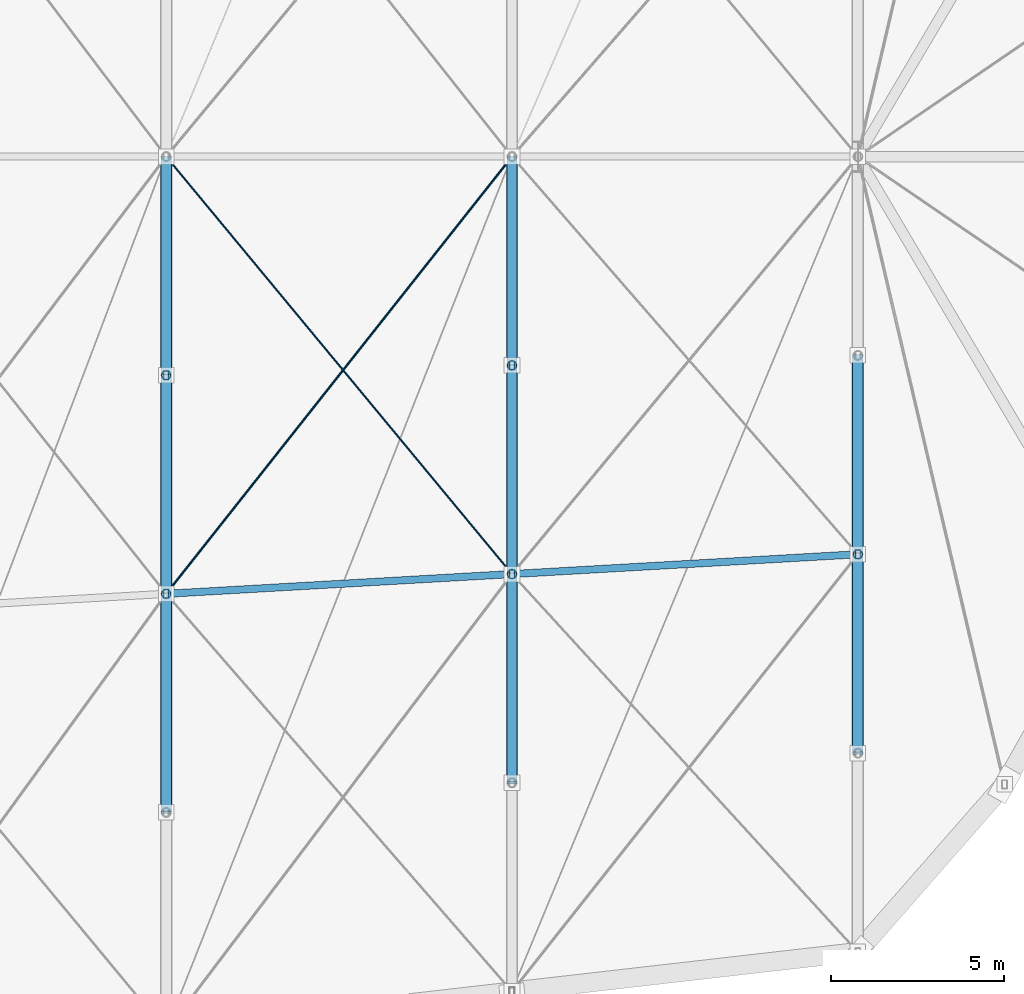
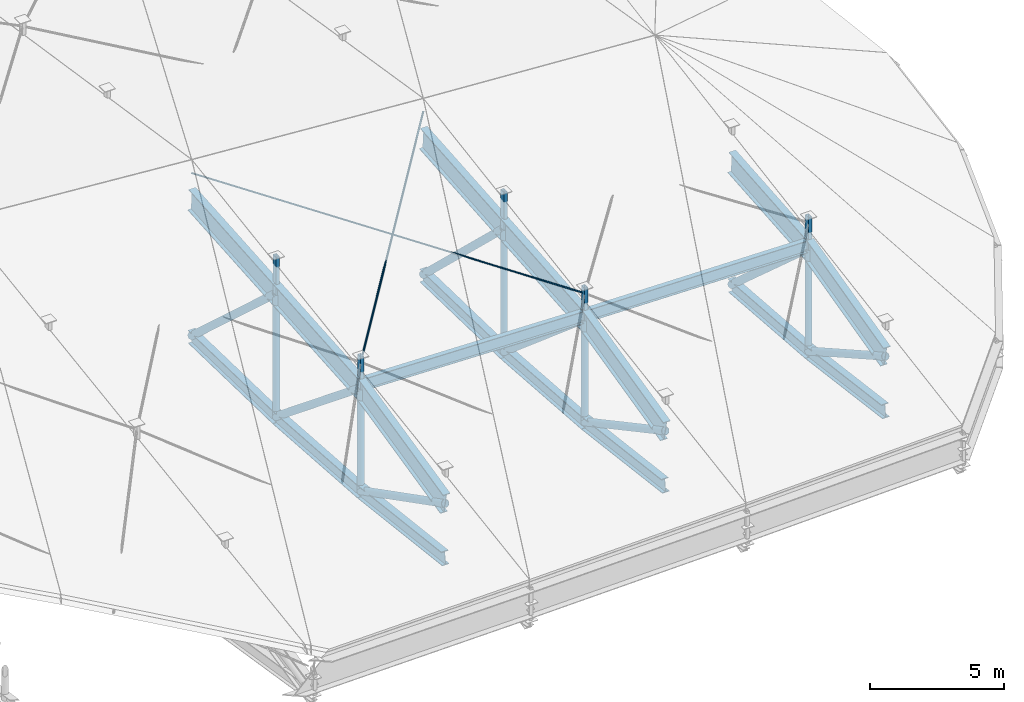
# One storey, part 28 of 68: 20 members, 18 beams.
"""IFC4 building model written with IfcOpenShell, lengths in metres."""

from ifc_helpers import new_model, si_unit, direction, frame, origin, origin_2d, place, context, subcontext, project, spatial, hollow_rectangle, circle, hollow_circle, i_section, extrude, material, material_profile, profile_set, type_object, element, save


model = new_model("IFC4")

# Units and contexts
model_context = context("Model", 3, precision=1e-05, world=origin(), true_north=direction((0.0, 1.0)))
body_context = subcontext(model_context, "Body", "Model", "MODEL_VIEW")
ifc_project = project(units=[si_unit("LENGTHUNIT", "METRE"), si_unit("AREAUNIT", "SQUARE_METRE"), si_unit("VOLUMEUNIT", "CUBIC_METRE"), si_unit("PLANEANGLEUNIT", "RADIAN"), si_unit("MASSUNIT", "GRAM", prefix="KILO")], contexts=[model_context])

# Site, building, storey
site_placement = place(None, origin())
site = spatial("IfcSite", under=ifc_project, at=site_placement, CompositionType="ELEMENT")
building_placement = place(site_placement, origin())
building = spatial("IfcBuilding", under=site, at=building_placement, Name="Sohan Crest Arena", CompositionType="ELEMENT")
storey_placement = place(building_placement, frame((0.0, 0.0, 27.0)))
storey = spatial("IfcBuildingStorey", under=building, at=storey_placement, Name="RF", CompositionType="ELEMENT", Elevation=27.0)

# Beams
ifc_material_1 = material(Name="Steel S355", Category="steel")
ifc_material_profile_1 = material_profile(ifc_material_1, i_section(OverallWidth=0.2099609375, OverallDepth=0.550048828125, WebThickness=0.010986328125, FlangeThickness=0.01708984375, at=origin_2d()), Name="IPE 550")
ifc_profile_set_1 = profile_set([ifc_material_profile_1], Name="Steel S355")
beam_type_1 = type_object("IfcBeamType", Name="STR-BM-B06", PredefinedType="BEAM", material=ifc_profile_set_1)
beam_1_placement = place(storey_placement, frame((148.0, 65.35693359375, 0.240966796875), z_axis=(0.995902297445, 0.056870494964, -0.07031614854), x_axis=(-0.057011612604, 0.998373515288, 0.0)))
element("IfcBeam", 1, at=beam_1_placement, inside=storey, type_object=beam_type_1, Name="Structural beam RP-RF-3159", PredefinedType="BEAM", context=body_context, shape_type="SweptSolid", body=[
    extrude(i_section(OverallWidth=0.2099609375, OverallDepth=0.550048828125, WebThickness=0.010986328125, FlangeThickness=0.01708984375, at=origin_2d()), origin(), (0.0, 0.0, 1.0), 10.041259765625),
])
beam_2_placement = place(storey_placement, frame((158.0, 65.927978515625, -0.465087890625), z_axis=(0.996467598154, 0.057000087463, -0.061671029329), x_axis=(-0.057108792309, 0.998367961145, 0.0)))
element("IfcBeam", 2, at=beam_2_placement, inside=storey, type_object=beam_type_1, Name="Structural beam RP-RF-3162", PredefinedType="BEAM", context=body_context, shape_type="SweptSolid", body=[
    extrude(i_section(OverallWidth=0.2099609375, OverallDepth=0.550048828125, WebThickness=0.010986328125, FlangeThickness=0.01708984375, at=origin_2d()), origin(), (0.0, 0.0, 1.0), 10.035400390625),
])
ifc_material_profile_2 = material_profile(ifc_material_1, i_section(OverallWidth=0.300048828125, OverallDepth=0.60009765625, WebThickness=0.015380859375, FlangeThickness=0.030029296875, at=origin_2d()), Name="HEB 600")
ifc_profile_set_2 = profile_set([ifc_material_profile_2], Name="Steel S355")
beam_type_2 = type_object("IfcBeamType", Name="STR-BM-B15", PredefinedType="BEAM", material=ifc_profile_set_2)
beam_3_placement = place(storey_placement, frame((148.0, 59.034912109375, -3.85693359375), z_axis=(0.0, 0.993036528828, -0.117806843659), x_axis=(-1.0, 0.0, 0.0)))
element("IfcBeam", 3, at=beam_3_placement, inside=storey, type_object=beam_type_2, Name="Structural beam RAB-RF-3099", PredefinedType="BEAM", context=body_context, shape_type="SweptSolid", body=[
    extrude(i_section(OverallWidth=0.300048828125, OverallDepth=0.60009765625, WebThickness=0.015380859375, FlangeThickness=0.030029296875, at=origin_2d()), origin(), (0.0, 0.0, 1.0), 6.366455078125),
])
beam_4_placement = place(storey_placement, frame((148.0, 65.35693359375, -4.60693359375), z_axis=(0.0, 0.997476075204, -0.071003375945), x_axis=(-1.0, 0.0, 0.0)))
element("IfcBeam", 4, at=beam_4_placement, inside=storey, type_object=beam_type_2, Name="Structural beam RAB-RF-3101", PredefinedType="BEAM", context=body_context, shape_type="SweptSolid", body=[
    extrude(i_section(OverallWidth=0.300048828125, OverallDepth=0.60009765625, WebThickness=0.015380859375, FlangeThickness=0.030029296875, at=origin_2d()), origin(), (0.0, 0.0, 1.0), 6.337158203125),
])
beam_5_placement = place(storey_placement, frame((148.0, 71.677978515625, -5.056884765625), z_axis=(0.0, 0.999718093734, -0.023743063435), x_axis=(-1.0, 0.0, 0.0)))
element("IfcBeam", 5, at=beam_5_placement, inside=storey, type_object=beam_type_2, Name="Structural beam RAB-RF-3103", PredefinedType="BEAM", context=body_context, shape_type="SweptSolid", body=[
    extrude(i_section(OverallWidth=0.300048828125, OverallDepth=0.60009765625, WebThickness=0.015380859375, FlangeThickness=0.030029296875, at=origin_2d()), origin(), (0.0, 0.0, 1.0), 6.32373046875),
])
beam_6_placement = place(storey_placement, frame((158.0, 59.89306640625, -4.56201171875), z_axis=(0.0, 0.992365946083, -0.1233281357), x_axis=(-1.0, 0.0, 0.0)))
element("IfcBeam", 6, at=beam_6_placement, inside=storey, type_object=beam_type_2, Name="Structural beam RAB-RF-3115", PredefinedType="BEAM", context=body_context, shape_type="SweptSolid", body=[
    extrude(i_section(OverallWidth=0.300048828125, OverallDepth=0.60009765625, WebThickness=0.015380859375, FlangeThickness=0.030029296875, at=origin_2d()), origin(), (0.0, 0.0, 1.0), 6.081298828125),
])
beam_7_placement = place(storey_placement, frame((158.0, 65.927978515625, -5.31201171875), z_axis=(0.0, 0.997233199276, -0.074336708715), x_axis=(-1.0, 0.0, 0.0)))
element("IfcBeam", 7, at=beam_7_placement, inside=storey, type_object=beam_type_2, Name="Structural beam RAB-RF-3117", PredefinedType="BEAM", context=body_context, shape_type="SweptSolid", body=[
    extrude(i_section(OverallWidth=0.300048828125, OverallDepth=0.60009765625, WebThickness=0.015380859375, FlangeThickness=0.030029296875, at=origin_2d()), origin(), (0.0, 0.0, 1.0), 6.052978515625),
])
beam_8_placement = place(storey_placement, frame((158.0, 71.964111328125, -5.761962890625), z_axis=(0.0, 0.999690745235, -0.024867928986), x_axis=(-1.0, 0.0, 0.0)))
element("IfcBeam", 8, at=beam_8_placement, inside=storey, type_object=beam_type_2, Name="Structural beam RAB-RF-3119", PredefinedType="BEAM", context=body_context, shape_type="SweptSolid", body=[
    extrude(i_section(OverallWidth=0.300048828125, OverallDepth=0.60009765625, WebThickness=0.015380859375, FlangeThickness=0.030029296875, at=origin_2d()), origin(), (0.0, 0.0, 1.0), 6.037841796875),
])
beam_9_placement = place(storey_placement, frame((168.0, 60.75, -5.180908203125), z_axis=(0.0, 0.991600411186, -0.129339184068), x_axis=(-1.0, 0.0, 0.0)))
element("IfcBeam", 9, at=beam_9_placement, inside=storey, type_object=beam_type_2, Name="Structural beam RAB-RF-3131", PredefinedType="BEAM", context=body_context, shape_type="SweptSolid", body=[
    extrude(i_section(OverallWidth=0.300048828125, OverallDepth=0.60009765625, WebThickness=0.015380859375, FlangeThickness=0.030029296875, at=origin_2d()), origin(), (0.0, 0.0, 1.0), 5.798828125),
])
beam_10_placement = place(storey_placement, frame((168.0, 66.5, -5.930908203125), z_axis=(0.0, 0.996948979363, -0.078055957793), x_axis=(-1.0, 0.0, 0.0)))
element("IfcBeam", 10, at=beam_10_placement, inside=storey, type_object=beam_type_2, Name="Structural beam RAB-RF-3133", PredefinedType="BEAM", context=body_context, shape_type="SweptSolid", body=[
    extrude(i_section(OverallWidth=0.300048828125, OverallDepth=0.60009765625, WebThickness=0.015380859375, FlangeThickness=0.030029296875, at=origin_2d()), origin(), (0.0, 0.0, 1.0), 5.767578125),
])
ifc_material_profile_3 = material_profile(ifc_material_1, i_section(OverallWidth=0.300048828125, OverallDepth=1.0, WebThickness=0.01904296875, FlangeThickness=0.035888671875, at=origin_2d()), Name="HEB 1000")
ifc_profile_set_3 = profile_set([ifc_material_profile_3], Name="Steel S355")
beam_type_3 = type_object("IfcBeamType", Name="STR-BM-B19", PredefinedType="BEAM", material=ifc_profile_set_3)
beam_11_placement = place(storey_placement, frame((148.0, 59.034912109375, -1.363037109375), z_axis=(0.0, 0.974890040353, 0.222686796242), x_axis=(-1.0, 0.0, 0.0)))
element("IfcBeam", 11, at=beam_11_placement, inside=storey, type_object=beam_type_3, Name="Structural beam RA-RF-3098", PredefinedType="BEAM", context=body_context, shape_type="SweptSolid", body=[
    extrude(i_section(OverallWidth=0.300048828125, OverallDepth=1.0, WebThickness=0.01904296875, FlangeThickness=0.035888671875, at=origin_2d()), origin(), (0.0, 0.0, 1.0), 6.48486328125),
])
beam_12_placement = place(storey_placement, frame((148.0, 65.35693359375, 0.0810546875), z_axis=(0.0, 0.997117800365, 0.075868914554), x_axis=(-1.0, 0.0, 0.0)))
element("IfcBeam", 12, at=beam_12_placement, inside=storey, type_object=beam_type_3, Name="Structural beam RA-RF-3100", PredefinedType="BEAM", context=body_context, shape_type="SweptSolid", body=[
    extrude(i_section(OverallWidth=0.300048828125, OverallDepth=1.0, WebThickness=0.01904296875, FlangeThickness=0.035888671875, at=origin_2d()), origin(), (0.0, 0.0, 1.0), 6.33935546875),
])
beam_13_placement = place(storey_placement, frame((148.0, 71.677978515625, 0.56201171875), z_axis=(0.0, 0.997118686878, 0.075857262528), x_axis=(-1.0, 0.0, 0.0)))
element("IfcBeam", 13, at=beam_13_placement, inside=storey, type_object=beam_type_3, Name="Structural beam RA-RF-3102", PredefinedType="BEAM", context=body_context, shape_type="SweptSolid", body=[
    extrude(i_section(OverallWidth=0.300048828125, OverallDepth=1.0, WebThickness=0.01904296875, FlangeThickness=0.035888671875, at=origin_2d()), origin(), (0.0, 0.0, 1.0), 6.34033203125),
])
beam_14_placement = place(storey_placement, frame((158.0, 59.89208984375, -2.069091796875), z_axis=(0.0, 0.972552384533, 0.232684033269), x_axis=(-1.0, 0.0, 0.0)))
element("IfcBeam", 14, at=beam_14_placement, inside=storey, type_object=beam_type_3, Name="Structural beam RA-RF-3114", PredefinedType="BEAM", context=body_context, shape_type="SweptSolid", body=[
    extrude(i_section(OverallWidth=0.300048828125, OverallDepth=1.0, WebThickness=0.01904296875, FlangeThickness=0.035888671875, at=origin_2d()), origin(), (0.0, 0.0, 1.0), 6.206298828125),
])
beam_15_placement = place(storey_placement, frame((158.0, 65.927978515625, -0.625), z_axis=(0.0, 0.996827829556, 0.079588178917), x_axis=(-1.0, 0.0, 0.0)))
element("IfcBeam", 15, at=beam_15_placement, inside=storey, type_object=beam_type_3, Name="Structural beam RA-RF-3116", PredefinedType="BEAM", context=body_context, shape_type="SweptSolid", body=[
    extrude(i_section(OverallWidth=0.300048828125, OverallDepth=1.0, WebThickness=0.01904296875, FlangeThickness=0.035888671875, at=origin_2d()), origin(), (0.0, 0.0, 1.0), 6.055419921875),
])
beam_16_placement = place(storey_placement, frame((158.0, 71.964111328125, -0.14306640625), z_axis=(0.0, 0.996840357161, 0.07943111692), x_axis=(-1.0, 0.0, 0.0)))
element("IfcBeam", 16, at=beam_16_placement, inside=storey, type_object=beam_type_3, Name="Structural beam RA-RF-3118", PredefinedType="BEAM", context=body_context, shape_type="SweptSolid", body=[
    extrude(i_section(OverallWidth=0.300048828125, OverallDepth=1.0, WebThickness=0.01904296875, FlangeThickness=0.035888671875, at=origin_2d()), origin(), (0.0, 0.0, 1.0), 6.054931640625),
])
beam_17_placement = place(storey_placement, frame((168.0, 60.75, -2.68798828125), z_axis=(0.0, 0.969880319214, 0.243581950074), x_axis=(-1.0, 0.0, 0.0)))
element("IfcBeam", 17, at=beam_17_placement, inside=storey, type_object=beam_type_3, Name="Structural beam RA-RF-3130", PredefinedType="BEAM", context=body_context, shape_type="SweptSolid", body=[
    extrude(i_section(OverallWidth=0.300048828125, OverallDepth=1.0, WebThickness=0.01904296875, FlangeThickness=0.035888671875, at=origin_2d()), origin(), (0.0, 0.0, 1.0), 5.928466796875),
])
beam_18_placement = place(storey_placement, frame((168.0, 66.5, -1.243896484375), z_axis=(0.0, 0.996505959769, 0.083521686676), x_axis=(-1.0, 0.0, 0.0)))
element("IfcBeam", 18, at=beam_18_placement, inside=storey, type_object=beam_type_3, Name="Structural beam RA-RF-3132", PredefinedType="BEAM", context=body_context, shape_type="SweptSolid", body=[
    extrude(i_section(OverallWidth=0.300048828125, OverallDepth=1.0, WebThickness=0.01904296875, FlangeThickness=0.035888671875, at=origin_2d()), origin(), (0.0, 0.0, 1.0), 5.770263671875),
])

# Members
ifc_material_profile_4 = material_profile(ifc_material_1, hollow_circle(Radius=0.136474609375, WallThickness=0.012451171875, at=origin_2d()), Name="CHS 273x12.5")
ifc_profile_set_4 = profile_set([ifc_material_profile_4], Name="Steel S355")
member_type_1 = type_object("IfcMemberType", Name="STR-MEM-BR02", PredefinedType="BRACE", material=ifc_profile_set_4)
member_1_placement = place(storey_placement, frame((148.0, 65.35693359375, -4.60693359375), z_axis=(0.0, 0.0, 1.0), x_axis=(1.0, 0.0, 0.0)))
element("IfcMember", 19, at=member_1_placement, inside=storey, type_object=member_type_1, Name="Lenticular roof truss web strut TW-193", PredefinedType="BRACE", context=body_context, shape_type="SweptSolid", body=[
    extrude(hollow_circle(Radius=0.136474609375, WallThickness=0.012451171875, at=origin_2d()), origin(), (0.0, 0.0, 1.0), 4.68798828125),
])
member_2_placement = place(storey_placement, frame((148.0, 71.677978515625, -5.056884765625), z_axis=(0.0, 0.0, 1.0), x_axis=(1.0, 0.0, 0.0)))
element("IfcMember", 20, at=member_2_placement, inside=storey, type_object=member_type_1, Name="Lenticular roof truss web strut TW-195", PredefinedType="BRACE", context=body_context, shape_type="SweptSolid", body=[
    extrude(hollow_circle(Radius=0.136474609375, WallThickness=0.012451171875, at=origin_2d()), origin(), (0.0, 0.0, 1.0), 5.618896484375),
])
member_3_placement = place(storey_placement, frame((158.0, 65.927978515625, -5.31201171875), z_axis=(0.0, 0.0, 1.0), x_axis=(1.0, 0.0, 0.0)))
element("IfcMember", 21, at=member_3_placement, inside=storey, type_object=member_type_1, Name="Lenticular roof truss web strut TW-217", PredefinedType="BRACE", context=body_context, shape_type="SweptSolid", body=[
    extrude(hollow_circle(Radius=0.136474609375, WallThickness=0.012451171875, at=origin_2d()), origin(), (0.0, 0.0, 1.0), 4.68701171875),
])
member_4_placement = place(storey_placement, frame((158.0, 71.964111328125, -5.761962890625), z_axis=(0.0, 0.0, 1.0), x_axis=(1.0, 0.0, 0.0)))
element("IfcMember", 22, at=member_4_placement, inside=storey, type_object=member_type_1, Name="Lenticular roof truss web strut TW-219", PredefinedType="BRACE", context=body_context, shape_type="SweptSolid", body=[
    extrude(hollow_circle(Radius=0.136474609375, WallThickness=0.012451171875, at=origin_2d()), origin(), (0.0, 0.0, 1.0), 5.618896484375),
])
member_5_placement = place(storey_placement, frame((168.0, 66.5, -5.930908203125), z_axis=(0.0, 0.0, 1.0), x_axis=(1.0, 0.0, 0.0)))
element("IfcMember", 23, at=member_5_placement, inside=storey, type_object=member_type_1, Name="Lenticular roof truss web strut TW-241", PredefinedType="BRACE", context=body_context, shape_type="SweptSolid", body=[
    extrude(hollow_circle(Radius=0.136474609375, WallThickness=0.012451171875, at=origin_2d()), origin(), (0.0, 0.0, 1.0), 4.68701171875),
])
ifc_material_profile_5 = material_profile(ifc_material_1, hollow_circle(Radius=0.161865234375, WallThickness=0.012451171875, at=origin_2d()), Name="CHS 323.9x12.5")
ifc_profile_set_5 = profile_set([ifc_material_profile_5], Name="Steel S355")
member_type_2 = type_object("IfcMemberType", Name="STR-MEM-BR03", PredefinedType="BRACE", material=ifc_profile_set_5)
member_6_placement = place(storey_placement, frame((148.0, 65.35693359375, -4.60693359375), z_axis=(0.0, -0.88971262901, 0.456521015704), x_axis=(1.0, 0.0, 0.0)))
element("IfcMember", 24, at=member_6_placement, inside=storey, type_object=member_type_2, Name="Lenticular roof truss web diagonal TD-192", PredefinedType="BRACE", context=body_context, shape_type="SweptSolid", body=[
    extrude(hollow_circle(Radius=0.161865234375, WallThickness=0.012451171875, at=origin_2d()), origin(), (0.0, 0.0, 1.0), 7.105712890625),
])
member_7_placement = place(storey_placement, frame((148.0, 71.677978515625, -5.056884765625), z_axis=(0.0, -0.775988387109, 0.630747194264), x_axis=(1.0, 0.0, 0.0)))
element("IfcMember", 25, at=member_7_placement, inside=storey, type_object=member_type_2, Name="Lenticular roof truss web diagonal TD-194", PredefinedType="BRACE", context=body_context, shape_type="SweptSolid", body=[
    extrude(hollow_circle(Radius=0.161865234375, WallThickness=0.012451171875, at=origin_2d()), origin(), (0.0, 0.0, 1.0), 8.145751953125),
])
member_8_placement = place(storey_placement, frame((148.0, 78.0, -5.20703125), z_axis=(0.0, -0.738673823167, 0.674063040797), x_axis=(1.0, 0.0, 0.0)))
element("IfcMember", 26, at=member_8_placement, inside=storey, type_object=member_type_2, Name="Lenticular roof truss web diagonal TD-196", PredefinedType="BRACE", context=body_context, shape_type="SweptSolid", body=[
    extrude(hollow_circle(Radius=0.161865234375, WallThickness=0.012451171875, at=origin_2d()), origin(), (0.0, 0.0, 1.0), 8.55859375),
])
member_9_placement = place(storey_placement, frame((158.0, 65.927978515625, -5.31201171875), z_axis=(0.0, -0.88090777888, 0.473287951578), x_axis=(1.0, 0.0, 0.0)))
element("IfcMember", 27, at=member_9_placement, inside=storey, type_object=member_type_2, Name="Lenticular roof truss web diagonal TD-216", PredefinedType="BRACE", context=body_context, shape_type="SweptSolid", body=[
    extrude(hollow_circle(Radius=0.161865234375, WallThickness=0.012451171875, at=origin_2d()), origin(), (0.0, 0.0, 1.0), 6.851806640625),
])
member_10_placement = place(storey_placement, frame((158.0, 71.964111328125, -5.761962890625), z_axis=(0.0, -0.761550063973, 0.648106087043), x_axis=(1.0, 0.0, 0.0)))
element("IfcMember", 28, at=member_10_placement, inside=storey, type_object=member_type_2, Name="Lenticular roof truss web diagonal TD-218", PredefinedType="BRACE", context=body_context, shape_type="SweptSolid", body=[
    extrude(hollow_circle(Radius=0.161865234375, WallThickness=0.012451171875, at=origin_2d()), origin(), (0.0, 0.0, 1.0), 7.926025390625),
])
member_11_placement = place(storey_placement, frame((158.0, 78.0, -5.912109375), z_axis=(0.0, -0.722905976633, 0.690946415396), x_axis=(1.0, 0.0, 0.0)))
element("IfcMember", 29, at=member_11_placement, inside=storey, type_object=member_type_2, Name="Lenticular roof truss web diagonal TD-220", PredefinedType="BRACE", context=body_context, shape_type="SweptSolid", body=[
    extrude(hollow_circle(Radius=0.161865234375, WallThickness=0.012451171875, at=origin_2d()), origin(), (0.0, 0.0, 1.0), 8.349365234375),
])
member_12_placement = place(storey_placement, frame((168.0, 66.5, -5.930908203125), z_axis=(0.0, -0.871021884695, 0.491244212568), x_axis=(1.0, 0.0, 0.0)))
element("IfcMember", 30, at=member_12_placement, inside=storey, type_object=member_type_2, Name="Lenticular roof truss web diagonal TD-240", PredefinedType="BRACE", context=body_context, shape_type="SweptSolid", body=[
    extrude(hollow_circle(Radius=0.161865234375, WallThickness=0.012451171875, at=origin_2d()), origin(), (0.0, 0.0, 1.0), 6.6015625),
])
member_13_placement = place(storey_placement, frame((168.0, 72.25, -6.381103515625), z_axis=(0.0, -0.745726387795, 0.666252320481), x_axis=(1.0, 0.0, 0.0)))
element("IfcMember", 31, at=member_13_placement, inside=storey, type_object=member_type_2, Name="Lenticular roof truss web diagonal TD-242", PredefinedType="BRACE", context=body_context, shape_type="SweptSolid", body=[
    extrude(hollow_circle(Radius=0.161865234375, WallThickness=0.012451171875, at=origin_2d()), origin(), (0.0, 0.0, 1.0), 7.710693359375),
])
ifc_material_2 = material(Name="Steel S460", Category="steel")
ifc_material_profile_6 = material_profile(ifc_material_2, circle(Radius=0.031982421875, at=origin_2d()), Name="FLC D64")
ifc_profile_set_6 = profile_set([ifc_material_profile_6], Name="Steel S460")
member_type_3 = type_object("IfcMemberType", Name="STR-MEM-CB01", PredefinedType="USERDEFINED", material=ifc_profile_set_6)
member_14_placement = place(storey_placement, frame((148.0, 65.35693359375, 1.260986328125), z_axis=(0.620277198312, 0.784220580854, 0.01594609106), x_axis=(-0.784320304822, 0.620356074721, 0.0)))
element("IfcMember", 32, at=member_14_placement, inside=storey, type_object=member_type_3, Name="Full-locked-coil roof cable CB-043", ObjectType="CABLE", PredefinedType="USERDEFINED", context=body_context, shape_type="SweptSolid", body=[
    extrude(circle(Radius=0.031982421875, at=origin_2d()), origin(), (0.0, 0.0, 1.0), 16.121826171875),
])
ifc_material_profile_7 = material_profile(ifc_material_2, circle(Radius=0.02587890625, at=origin_2d()), Name="FLC D52")
ifc_profile_set_7 = profile_set([ifc_material_profile_7], Name="Steel S460")
member_type_4 = type_object("IfcMemberType", Name="STR-MEM-CB02", PredefinedType="USERDEFINED", material=ifc_profile_set_7)
member_15_placement = place(storey_placement, frame((148.0, 78.0, 2.222900390625), z_axis=(0.634341285156, -0.765778162283, -0.105806144047), x_axis=(0.770100911356, 0.637922084841, 0.0)))
element("IfcMember", 33, at=member_15_placement, inside=storey, type_object=member_type_4, Name="Full-locked-coil roof cable CB-044", ObjectType="CABLE", PredefinedType="USERDEFINED", context=body_context, shape_type="SweptSolid", body=[
    extrude(circle(Radius=0.02587890625, at=origin_2d()), origin(), (0.0, 0.0, 1.0), 15.764404296875),
])
ifc_material_profile_8 = material_profile(ifc_material_1, hollow_rectangle(XDim=0.14990234375, YDim=0.25, WallThickness=0.010009765625, at=origin_2d()), Name="RHS 250x150x10")
ifc_profile_set_8 = profile_set([ifc_material_profile_8], Name="Steel S355")
member_type_5 = type_object("IfcMemberType", Name="STR-MEM-CH02", PredefinedType="CHORD", material=ifc_profile_set_8)
member_16_placement = place(storey_placement, frame((148.0, 65.35693359375, 0.0810546875), z_axis=(0.0, 0.0, 1.0), x_axis=(1.0, 0.0, 0.0)))
element("IfcMember", 34, at=member_16_placement, inside=storey, type_object=member_type_5, Name="Roof deck bearing saddle chord RSP-183", PredefinedType="CHORD", context=body_context, shape_type="SweptSolid", body=[
    extrude(hollow_rectangle(XDim=0.14990234375, YDim=0.25, WallThickness=0.010009765625, at=origin_2d()), origin(), (0.0, 0.0, 1.0), 1.489990234375),
])
member_17_placement = place(storey_placement, frame((148.0, 71.677978515625, 0.56201171875), z_axis=(0.0, 0.0, 1.0), x_axis=(1.0, 0.0, 0.0)))
element("IfcMember", 35, at=member_17_placement, inside=storey, type_object=member_type_5, Name="Roof deck bearing saddle chord RSP-184", PredefinedType="CHORD", context=body_context, shape_type="SweptSolid", body=[
    extrude(hollow_rectangle(XDim=0.14990234375, YDim=0.25, WallThickness=0.010009765625, at=origin_2d()), origin(), (0.0, 0.0, 1.0), 1.72998046875),
])
member_18_placement = place(storey_placement, frame((158.0, 65.927978515625, -0.625), z_axis=(0.0, 0.0, 1.0), x_axis=(1.0, 0.0, 0.0)))
element("IfcMember", 36, at=member_18_placement, inside=storey, type_object=member_type_5, Name="Roof deck bearing saddle chord RSP-207", PredefinedType="CHORD", context=body_context, shape_type="SweptSolid", body=[
    extrude(hollow_rectangle(XDim=0.14990234375, YDim=0.25, WallThickness=0.010009765625, at=origin_2d()), origin(), (0.0, 0.0, 1.0), 1.489990234375),
])
member_19_placement = place(storey_placement, frame((158.0, 71.964111328125, -0.14306640625), z_axis=(0.0, 0.0, 1.0), x_axis=(1.0, 0.0, 0.0)))
element("IfcMember", 37, at=member_19_placement, inside=storey, type_object=member_type_5, Name="Roof deck bearing saddle chord RSP-208", PredefinedType="CHORD", context=body_context, shape_type="SweptSolid", body=[
    extrude(hollow_rectangle(XDim=0.14990234375, YDim=0.25, WallThickness=0.010009765625, at=origin_2d()), origin(), (0.0, 0.0, 1.0), 1.72998046875),
])
member_20_placement = place(storey_placement, frame((168.0, 66.5, -1.243896484375), z_axis=(0.0, 0.0, 1.0), x_axis=(1.0, 0.0, 0.0)))
element("IfcMember", 38, at=member_20_placement, inside=storey, type_object=member_type_5, Name="Roof deck bearing saddle chord RSP-231", PredefinedType="CHORD", context=body_context, shape_type="SweptSolid", body=[
    extrude(hollow_rectangle(XDim=0.14990234375, YDim=0.25, WallThickness=0.010009765625, at=origin_2d()), origin(), (0.0, 0.0, 1.0), 1.489990234375),
])

save(model, "model.ifc")
